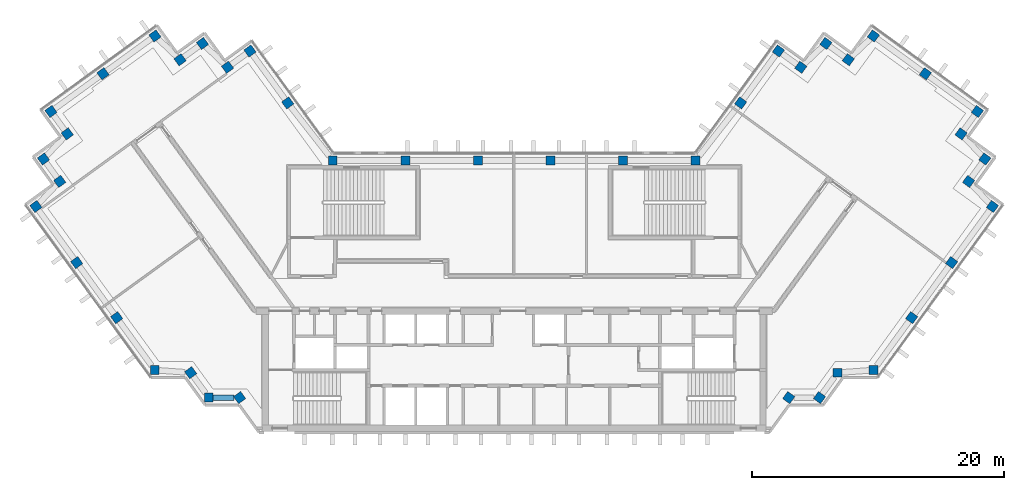
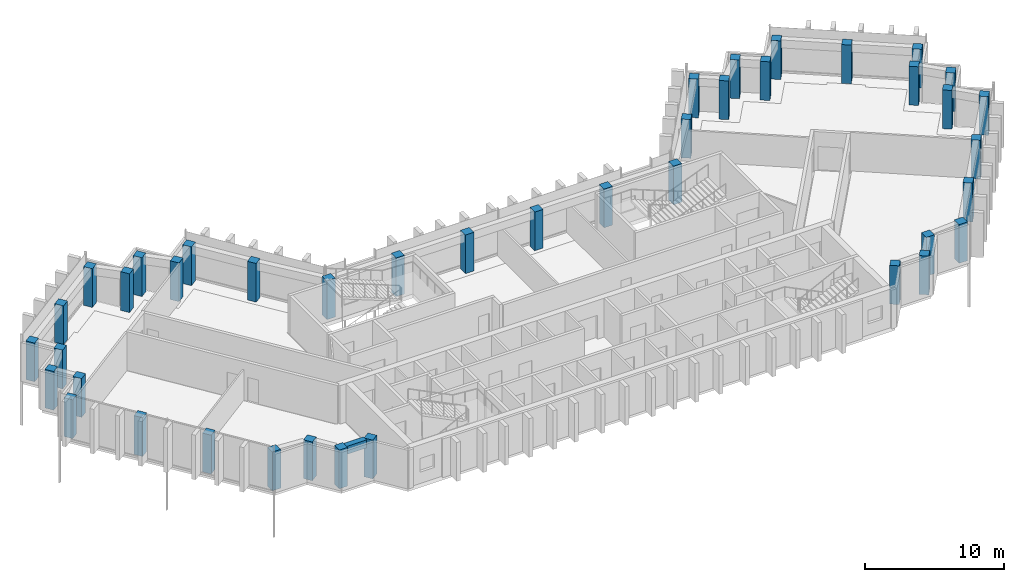
# One storey, part 1 of 13: 42 columns, 1 beam.
"""IFC4 building model written with IfcOpenShell, lengths in metres."""

from ifc_helpers import new_model, si_unit, direction, frame, origin, origin_2d, place, context, subcontext, project, spatial, rectangle, extrude, material, material_profile, profile_set, type_object, element, save


model = new_model("IFC4")

# Units and contexts
model_context = context("Model", 3, precision=1e-05, world=origin(), true_north=direction((0.0, 1.0)))
body_context = subcontext(model_context, "Body", "Model", "MODEL_VIEW")
ifc_project = project(units=[si_unit("LENGTHUNIT", "METRE"), si_unit("AREAUNIT", "SQUARE_METRE"), si_unit("VOLUMEUNIT", "CUBIC_METRE"), si_unit("PLANEANGLEUNIT", "RADIAN"), si_unit("MASSUNIT", "GRAM", prefix="KILO")], contexts=[model_context])

# Site, building, storey
site_placement = place(None, origin())
site = spatial("IfcSite", under=ifc_project, at=site_placement, CompositionType="ELEMENT")
building_placement = place(site_placement, origin())
building = spatial("IfcBuilding", under=site, at=building_placement, Name="Quipu Civic Tower", CompositionType="ELEMENT")
storey_placement = place(building_placement, frame((0.0, 0.0, 297.0)))
storey = spatial("IfcBuildingStorey", under=building, at=storey_placement, Name="L69", CompositionType="ELEMENT", Elevation=297.0)

# Columns
ifc_material_1 = material(Name="Concrete C50/60", Category="concrete")
ifc_material_profile_1 = material_profile(ifc_material_1, rectangle(XDim=0.699951171875, YDim=0.699951171875, at=origin_2d()), Name="RC700x700")
ifc_profile_set_1 = profile_set([ifc_material_profile_1], Name="Concrete C50/60")
column_type = type_object("IfcColumnType", Name="Perimeter column RC 700x700 C50/60", PredefinedType="COLUMN", material=ifc_profile_set_1)
for number, where, z_axis, x_axis, name in (
    (1, (-17.9736328125, 15.074951171875, 0.0), (0.0, 0.0, 1.0), (-0.587785252292, 0.809016994375, 0.0), "Column L69 W-IN-01"),
    (2, (-20.969970703125, 19.195068359375, 0.0), (0.0, 0.0, 1.0), (-0.587785252292, 0.809016994375, 0.0), "Column L69 T-Wi.0-W22"),
    (3, (-22.749267578125, 17.904296875, 0.0), (0.0, 0.0, 1.0), (-0.587785252292, 0.809016994375, 0.0), "Column L69 T-Wi.1-W22"),
    (4, (-24.739990234375, 19.794921875, 0.0), (0.0, 0.0, 1.0), (-0.587785252292, 0.809016994375, 0.0), "Column L69 T-Wi.2-W22"),
    (5, (-26.51904296875, 18.50048828125, 0.0), (0.0, 0.0, 1.0), (-0.587785252292, 0.809016994375, 0.0), "Column L69 T-Wi.3-W22"),
    (6, (-28.510009765625, 20.389892578125, 0.0), (0.0, 0.0, 1.0), (-0.809016994375, -0.587785252292, 0.0), "Column L69 T-Wi.4-W22"),
    (7, (-32.636962890625, 17.39306640625, 0.0), (0.0, 0.0, 1.0), (-0.809016994375, -0.587785252292, 0.0), "Column L69 TIP-W-01-W22"),
    (8, (-36.764892578125, 14.39501953125, 0.0), (0.0, 0.0, 1.0), (0.587785252292, -0.809016994375, 0.0), "Column L69 T-Wo.0-W22"),
    (9, (-35.470703125, 12.616455078125, 0.0), (0.0, 0.0, 1.0), (-0.809016994375, -0.587785252292, 0.0), "Column L69 T-Wo.1-W22"),
    (10, (-37.360107421875, 10.625, 0.0), (0.0, 0.0, 1.0), (0.587785252292, -0.809016994375, 0.0), "Column L69 T-Wo.2-W22"),
    (11, (-36.068115234375, 8.843994140625, 0.0), (0.0, 0.0, 1.0), (0.587785252292, -0.809016994375, 0.0), "Column L69 T-Wo.3-W22"),
    (12, (-37.9599609375, 6.85498046875, 0.0), (0.0, 0.0, 1.0), (0.587785252292, -0.809016994375, 0.0), "Column L69 T-Wo.4-W22"),
    (13, (-34.722412109375, 2.39990234375, 0.0), (0.0, 0.0, 1.0), (0.587785252292, -0.809016994375, 0.0), "Column L69 W-OUT-02"),
    (14, (-31.54833984375, -1.96875, 0.0), (0.0, 0.0, 1.0), (0.587785252292, -0.809016994375, 0.0), "Column L69 W-OUT-01"),
    (15, (-28.52490234375, -6.1298828125, 0.0), (0.0, 0.0, 1.0), (1.0, 0.0, 0.0), "Column L69 J-Wo.0"),
    (16, (-25.67431640625, -6.3369140625, 0.0), (0.0, 0.0, 1.0), (0.587785252292, -0.809016994375, 0.0), "Column L69 J-Wo.1"),
    (17, (-24.235107421875, -8.31494140625, 0.0), (0.0, 0.0, 1.0), (1.0, 0.0, 0.0), "Column L69 J-Wo.2"),
    (18, (-21.791748046875, -8.31494140625, 0.0), (0.0, 0.0, 1.0), (0.587785252292, -0.809016994375, 0.0), "Column L69 J-Wo.3"),
    (19, (21.791748046875, -8.31494140625, 0.0), (0.0, 0.0, 1.0), (0.587785252292, 0.809016994375, 0.0), "Column L69 J-Eo.1"),
    (20, (24.235107421875, -8.31494140625, 0.0), (0.0, 0.0, 1.0), (0.587785252292, 0.809016994375, 0.0), "Column L69 J-Eo.2"),
    (21, (25.67431640625, -6.3369140625, 0.0), (0.0, 0.0, 1.0), (1.0, 0.0, 0.0), "Column L69 J-Eo.3"),
    (22, (28.52490234375, -6.1298828125, 0.0), (0.0, 0.0, 1.0), (1.0, 0.0, 0.0), "Column L69 J-Eo.4"),
    (23, (31.54833984375, -1.96875, 0.0), (0.0, 0.0, 1.0), (0.587785252292, 0.809016994375, 0.0), "Column L69 E-OUT-01"),
    (24, (34.722412109375, 2.39990234375, 0.0), (0.0, 0.0, 1.0), (0.587785252292, 0.809016994375, 0.0), "Column L69 E-OUT-02"),
    (25, (37.9599609375, 6.85498046875, 0.0), (0.0, 0.0, 1.0), (0.587785252292, 0.809016994375, 0.0), "Column L69 T-Eo.0-E22"),
    (26, (36.068115234375, 8.843994140625, 0.0), (0.0, 0.0, 1.0), (0.587785252292, 0.809016994375, 0.0), "Column L69 T-Eo.1-E22"),
    (27, (37.360107421875, 10.625, 0.0), (0.0, 0.0, 1.0), (0.587785252292, 0.809016994375, 0.0), "Column L69 T-Eo.2-E22"),
    (28, (35.470703125, 12.616455078125, 0.0), (0.0, 0.0, 1.0), (-0.809016994375, 0.587785252292, 0.0), "Column L69 T-Eo.3-E22"),
    (29, (36.764892578125, 14.39501953125, 0.0), (0.0, 0.0, 1.0), (-0.809016994375, 0.587785252292, 0.0), "Column L69 T-Eo.4-E22"),
    (30, (32.636962890625, 17.39306640625, 0.0), (0.0, 0.0, 1.0), (-0.809016994375, 0.587785252292, 0.0), "Column L69 TIP-E-01-E22"),
    (31, (28.510009765625, 20.389892578125, 0.0), (0.0, 0.0, 1.0), (-0.587785252292, -0.809016994375, 0.0), "Column L69 T-Ei.0-E22"),
    (32, (26.51904296875, 18.50048828125, 0.0), (0.0, 0.0, 1.0), (-0.809016994375, 0.587785252292, 0.0), "Column L69 T-Ei.1-E22"),
    (33, (24.739990234375, 19.794921875, 0.0), (0.0, 0.0, 1.0), (-0.587785252292, -0.809016994375, 0.0), "Column L69 T-Ei.2-E22"),
    (34, (22.749267578125, 17.904296875, 0.0), (0.0, 0.0, 1.0), (-0.587785252292, -0.809016994375, 0.0), "Column L69 T-Ei.3-E22"),
    (35, (20.969970703125, 19.195068359375, 0.0), (0.0, 0.0, 1.0), (-0.587785252292, -0.809016994375, 0.0), "Column L69 T-Ei.4-E22"),
    (36, (17.9736328125, 15.074951171875, 0.0), (0.0, 0.0, 1.0), (-0.587785252292, -0.809016994375, 0.0), "Column L69 E-IN-01"),
    (37, (14.395263671875, 10.5, 0.0), (0.0, 0.0, 1.0), (-1.0, 0.0, 0.0), "Column L69 J-Ei.0"),
    (38, (8.63720703125, 10.5, 0.0), (0.0, 0.0, 1.0), (-1.0, 0.0, 0.0), "Column L69 FRONT-01"),
    (39, (2.87890625, 10.5, 0.0), (0.0, 0.0, 1.0), (-1.0, 0.0, 0.0), "Column L69 FRONT-02"),
    (40, (-2.87890625, 10.5, 0.0), (0.0, 0.0, 1.0), (-1.0, 0.0, 0.0), "Column L69 FRONT-03"),
    (41, (-8.63720703125, 10.5, 0.0), (0.0, 0.0, 1.0), (-1.0, 0.0, 0.0), "Column L69 FRONT-04"),
    (42, (-14.395263671875, 10.5, 0.0), (0.0, 0.0, 1.0), (-1.0, 0.0, 0.0), "Column L69 J-Wi.0"),
):
    element("IfcColumn", number, at=place(storey_placement, frame(where, z_axis=z_axis, x_axis=x_axis)), inside=storey, type_object=column_type, Name=name, PredefinedType="COLUMN", context=body_context, shape_type="SweptSolid", body=[
        extrude(rectangle(XDim=0.699951171875, YDim=0.699951171875, at=origin_2d()), origin(), (0.0, 0.0, 1.0), 3.39990234375),
    ])

# Beam
ifc_material_2 = material(Name="Concrete C50/60", Category="concrete")
ifc_material_profile_2 = material_profile(ifc_material_2, rectangle(XDim=0.449951171875, YDim=0.699951171875, at=origin_2d()), Name="RC450x700")
ifc_profile_set_2 = profile_set([ifc_material_profile_2], Name="Concrete C50/60")
beam_type = type_object("IfcBeamType", Name="Spandrel beam RC 450x700 C50/60", PredefinedType="SPANDREL", material=ifc_profile_set_2)
beam_placement = place(storey_placement, frame((-23.885009765625, -8.31494140625, 3.050048828125), z_axis=(1.0, 0.0, 0.0), x_axis=(0.0, 1.0, 0.0)))
element("IfcBeam", 43, at=beam_placement, inside=storey, type_object=beam_type, Name="Spandrel beam L69 J-Wo.2 to J-Wo.3", PredefinedType="SPANDREL", context=body_context, shape_type="SweptSolid", body=[
    extrude(rectangle(XDim=0.449951171875, YDim=0.699951171875, at=origin_2d()), origin(), (0.0, 0.0, 1.0), 1.66064453125),
])

save(model, "model.ifc")
